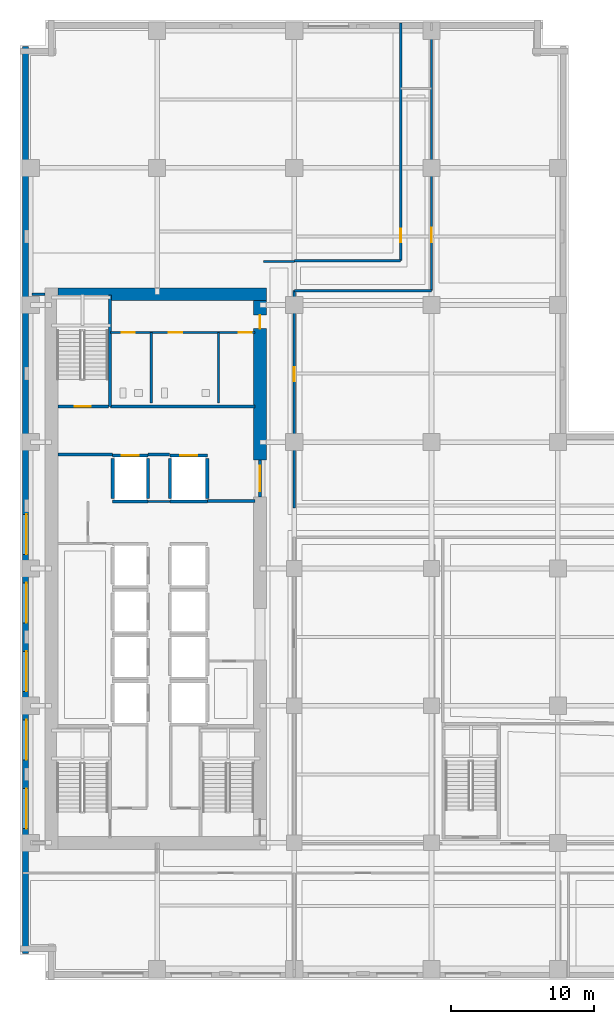
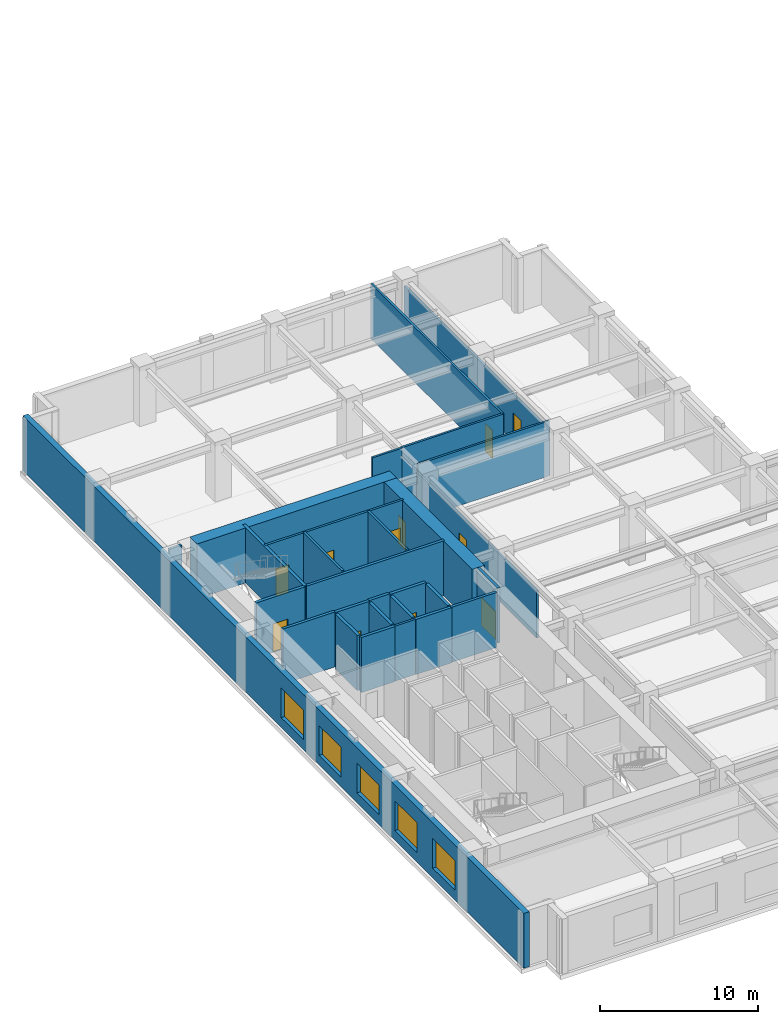
# One storey, part 7 of 24: 29 walls, 11 doors, 5 windows, 16 openings.
"""IFC4 building model written with IfcOpenShell, lengths in metres."""

import ifcopenshell
import ifcopenshell.guid

model = None  # the IFC model being written
_history = None  # IfcOwnerHistory: only IFC2X3 demands one
_inside = {}  # id of a spatial element -> (the spatial element, [elements in it])
_under = {}  # id of a project, library or spatial element -> (it, [spatial elements below it])
_declared = {}  # id of a project -> (the project, [libraries it declares])
_typed = {}  # id of a type object -> (the type object, [elements of that type])
_made_of = {}  # id of a material, layer set ... -> (it, [elements and type objects made of it])


def new_model(schema):
    """Start an empty IFC model of exactly this schema.

    Asked for "IFC4X3", IfcOpenShell would pick the latest addendum, in which some entities
    have other attributes; the version numbers below select the first issue.
    IFC2X3 requires an IfcOwnerHistory on every rooted entity: one is made here for all.
    """
    global model, _history
    if schema == "IFC4X3":
        model = ifcopenshell.file(schema_version=(4, 3, 0, 0))
    else:
        model = ifcopenshell.file(schema=schema)
    _inside.clear()
    _under.clear()
    _declared.clear()
    _typed.clear()
    _made_of.clear()
    _history = None
    if model.schema == "IFC2X3":
        org = make("IfcOrganization", Name="unknown")
        user = make(
            "IfcPersonAndOrganization",
            ThePerson=make("IfcPerson", FamilyName="unknown"),
            TheOrganization=org,
        )
        app = make(
            "IfcApplication",
            ApplicationDeveloper=org,
            Version="unknown",
            ApplicationFullName="unknown",
            ApplicationIdentifier="unknown",
        )
        _history = make(
            "IfcOwnerHistory",
            OwningUser=user,
            OwningApplication=app,
            ChangeAction="ADDED",
            CreationDate=0,
        )
    return model


def make(cls, **values):
    """One entity of the class cls with the attributes given. An attribute that is None is left unset."""
    return model.create_entity(
        cls, **{name: value for name, value in values.items() if value is not None}
    )


def rooted(cls, **values):
    """An entity with a GlobalId (a new one), such as an element, a storey or a relation."""
    return make(cls, GlobalId=ifcopenshell.guid.new(), OwnerHistory=_history, **values)


def si_unit(unit_type, name, prefix=None):
    """IfcSIUnit, for example si_unit("LENGTHUNIT", "METRE", prefix="MILLI")."""
    return make("IfcSIUnit", UnitType=unit_type, Prefix=prefix, Name=name)


def assignment(units):
    """IfcUnitAssignment: the units of a project."""
    return None if units is None else make("IfcUnitAssignment", Units=units)


def point(xyz):
    """IfcCartesianPoint."""
    return None if xyz is None else make("IfcCartesianPoint", Coordinates=xyz)


def direction(xyz):
    """IfcDirection."""
    return None if xyz is None else make("IfcDirection", DirectionRatios=xyz)


def frame(location, z_axis=None, x_axis=None):
    """IfcAxis2Placement3D, a coordinate frame: its origin and axes. An axis left out is left unset."""
    return make(
        "IfcAxis2Placement3D",
        Location=point(location),
        Axis=direction(z_axis),
        RefDirection=direction(x_axis),
    )


def frame_2d(location, x_axis=None):
    """IfcAxis2Placement2D, a coordinate frame in the plane: its origin and x axis."""
    return make(
        "IfcAxis2Placement2D", Location=point(location), RefDirection=direction(x_axis)
    )


def origin():
    """The frame at (0, 0, 0) with its axes left unset."""
    return frame((0.0, 0.0, 0.0))


def place(relative_to, where):
    """IfcLocalPlacement: puts the frame where relative to a parent placement (None: the world)."""
    return make(
        "IfcLocalPlacement", PlacementRelTo=relative_to, RelativePlacement=where
    )


def context(
    kind, dimensions, precision=None, world=None, true_north=None, identifier=None
):
    """IfcGeometricRepresentationContext, for example the 3D "Model" context."""
    return make(
        "IfcGeometricRepresentationContext",
        ContextIdentifier=identifier,
        ContextType=kind,
        CoordinateSpaceDimension=dimensions,
        Precision=precision,
        WorldCoordinateSystem=world,
        TrueNorth=true_north,
    )


def subcontext(parent, identifier, kind, view, scale=None):
    """IfcGeometricRepresentationSubContext, for example "Body" below "Model"."""
    return make(
        "IfcGeometricRepresentationSubContext",
        ContextIdentifier=identifier,
        ContextType=kind,
        ParentContext=parent,
        TargetScale=scale,
        TargetView=view,
    )


def project(units=None, contexts=None):
    """IfcProject with its units and contexts."""
    return rooted(
        "IfcProject",
        Name="project",
        RepresentationContexts=contexts,
        UnitsInContext=assignment(units),
    )


def spatial(cls, under=None, at=None, **own):
    """A site, building, storey or space (cls), placed at a placement, below another one or the project."""
    s = rooted(cls, ObjectPlacement=at, **own)
    if under is not None:
        _under.setdefault(under.id(), (under, []))[1].append(s)
    return s


def profile(cls, at=None, kind="AREA", **sizes):
    """A parametric profile (cls). Its sizes go by their IFC names, for example OverallWidth=200.0."""
    return make(cls, ProfileType=kind, Position=at, **sizes)


def rectangle(**sizes):
    """IfcRectangleProfileDef."""
    return profile("IfcRectangleProfileDef", **sizes)


def extrude(swept, where, along, depth):
    """IfcExtrudedAreaSolid: the profile swept, set in the frame where, extruded along a direction by depth."""
    return make(
        "IfcExtrudedAreaSolid",
        SweptArea=swept,
        Position=where,
        ExtrudedDirection=direction(along),
        Depth=depth,
    )


def shape(context_of_items, identifier, shape_type, items):
    """IfcShapeRepresentation: the items that make up one representation, for example the "Body"."""
    return make(
        "IfcShapeRepresentation",
        ContextOfItems=context_of_items,
        RepresentationIdentifier=identifier,
        RepresentationType=shape_type,
        Items=items,
    )


def material(Name=None, Category=None):
    """IfcMaterial."""
    return make("IfcMaterial", Name=Name, Category=Category)


def layer(
    of_material, thickness, ventilated=None, Name=None, Category=None, Priority=None
):
    """IfcMaterialLayer: one layer of a wall or slab, of a material (None: an air gap)."""
    return make(
        "IfcMaterialLayer",
        Material=of_material,
        LayerThickness=thickness,
        IsVentilated=ventilated,
        Name=Name,
        Category=Category,
        Priority=Priority,
    )


def layer_set(layers, Name=None):
    """IfcMaterialLayerSet."""
    return make("IfcMaterialLayerSet", MaterialLayers=layers, LayerSetName=Name)


def made_of(thing, what):
    """Note that an element or type object is made of a material, layer set ...; save() writes the relation."""
    if what is not None:
        _made_of.setdefault(what.id(), (what, []))[1].append(thing)
    return thing


def type_object(cls, material=None, **own):
    """A type object (cls), such as IfcWallType, which elements share."""
    return made_of(rooted(cls, **own), material)


def element(
    cls,
    number,
    at=None,
    inside=None,
    cuts=None,
    type_object=None,
    material=None,
    context=None,
    identifier="Body",
    shape_type=None,
    held_by="IfcProductDefinitionShape",
    body=None,
    shapes=None,
    **own,
):
    """One element of the class cls, such as IfcWall. Its Tag is "e" and its number.

    at: its placement. inside: the storey or other place that contains it. cuts: it is an
    opening in that element (IfcRelVoidsElement). A single representation is given by context,
    identifier, shape_type and body (its items); several are given by shapes. held_by: the class
    of the entity that holds the representations. save() writes the other relations.
    """
    e = rooted(cls, Tag="e%d" % number, ObjectPlacement=at, **own)
    if body is not None:
        shapes = [shape(context, identifier, shape_type, body)]
    if shapes is not None:
        e.Representation = make(held_by, Representations=shapes)
    if inside is not None:
        _inside.setdefault(inside.id(), (inside, []))[1].append(e)
    if cuts is not None:
        rooted(
            "IfcRelVoidsElement", RelatingBuildingElement=cuts, RelatedOpeningElement=e
        )
    if type_object is not None:
        _typed.setdefault(type_object.id(), (type_object, []))[1].append(e)
    return made_of(e, material)


def fill(opening, filler):
    """IfcRelFillsElement: the door or window that sits in an opening."""
    return rooted(
        "IfcRelFillsElement",
        RelatingOpeningElement=opening,
        RelatedBuildingElement=filler,
    )


def aggregate(whole, parts):
    """IfcRelAggregates: a whole, such as a stair, and the parts it consists of."""
    return rooted("IfcRelAggregates", RelatingObject=whole, RelatedObjects=parts)


def save(model, path):
    """Write the relations noted so far, then the file.

    IfcRelAggregates (storeys below a building ...), IfcRelContainedInSpatialStructure (elements
    in a storey), IfcRelDefinesByType, IfcRelAssociatesMaterial and IfcRelDeclares: one each for
    every whole, place, type object, material and project.
    """
    for whole, parts in _under.values():
        aggregate(whole, parts)
    for where, things in _inside.values():
        rooted(
            "IfcRelContainedInSpatialStructure",
            RelatedElements=things,
            RelatingStructure=where,
        )
    for kind, things in _typed.values():
        rooted("IfcRelDefinesByType", RelatedObjects=things, RelatingType=kind)
    for what, things in _made_of.values():
        rooted("IfcRelAssociatesMaterial", RelatedObjects=things, RelatingMaterial=what)
    for by, libraries in _declared.values():
        rooted("IfcRelDeclares", RelatingContext=by, RelatedDefinitions=libraries)
    model.write(path)


model = new_model("IFC4")

# Units and contexts
model_context = context("Model", 3, precision=1e-05, world=origin(), true_north=direction((0.0, 1.0)))
body_context = subcontext(model_context, "Body", "Model", "MODEL_VIEW")
ifc_project = project(units=[si_unit("LENGTHUNIT", "METRE"), si_unit("AREAUNIT", "SQUARE_METRE"), si_unit("VOLUMEUNIT", "CUBIC_METRE"), si_unit("PLANEANGLEUNIT", "RADIAN"), si_unit("MASSUNIT", "GRAM", prefix="KILO")], contexts=[model_context])

# Site, building, storey
site_placement = place(None, origin())
site = spatial("IfcSite", under=ifc_project, at=site_placement, CompositionType="ELEMENT")
building_placement = place(site_placement, origin())
building = spatial("IfcBuilding", under=site, at=building_placement, Name="Norrvale University Quadrangle", CompositionType="ELEMENT")
storey_placement = place(building_placement, frame((0.0, 0.0, 15.0)))
storey = spatial("IfcBuildingStorey", under=building, at=storey_placement, Name="L03", CompositionType="ELEMENT", Elevation=15.0)

# Wall
ifc_material_1 = material(Name="Concrete C80/95", Category="concrete")
ifc_layer_1 = layer(ifc_material_1, 0.89990234375, Name="Concrete C80/95")
ifc_layer_set_1 = layer_set([ifc_layer_1], Name="Concrete C80/95")
wall_type_1 = type_object("IfcWallType", Name="Wall Core 900", PredefinedType="SHEAR", material=ifc_layer_set_1)
wall_1_placement = place(storey_placement, frame((2.64990234375, 48.0, 0.0), z_axis=(0.0, 0.0, 1.0), x_axis=(1.0, 0.0, 0.0)))
element("IfcWall", 1, at=wall_1_placement, inside=storey, type_object=wall_type_1, Name="Tower Core Shear Wall L03-N", PredefinedType="SHEAR", context=body_context, shape_type="SweptSolid", body=[
    extrude(rectangle(XDim=14.60009765625, YDim=0.89990234375, at=frame_2d((7.300048828125, 0.0))), origin(), (0.0, 0.0, 1.0), 4.260009765625),
])

# Wall, opening, door
wall_2_placement = place(storey_placement, frame((16.800048828125, 36.39990234375, 0.0), z_axis=(0.0, 0.0, 1.0), x_axis=(0.0, 1.0, 0.0)))
wall_2 = element("IfcWall", 2, at=wall_2_placement, inside=storey, type_object=wall_type_1, Name="Tower Core Shear Wall L03-E3", PredefinedType="SHEAR", context=body_context, shape_type="SweptSolid", body=[
    extrude(rectangle(XDim=11.150146484375, YDim=0.89990234375, at=frame_2d((5.5751953125, 0.0))), origin(), (0.0, 0.0, 1.0), 4.260009765625),
])
opening_1_placement = place(wall_2_placement, frame((9.199951171875, 0.0, 0.0)))
opening_1 = element("IfcOpeningElement", 3, at=opening_1_placement, cuts=wall_2, Name="Opening D07", PredefinedType="OPENING", context=body_context, shape_type="SweptSolid", body=[
    extrude(rectangle(XDim=0.949951171875, YDim=2.14990234375, at=frame_2d((0.47509765625, 1.074951171875))), frame((0.0, 0.4619140625, 0.0), z_axis=(0.0, -1.0, 0.0), x_axis=(1.0, 0.0, 0.0)), (0.0, 0.0, 1.0), 0.923828125),
])
ifc_material_2 = material(Name="Solid-Core Maple Door", Category="wood")
door_type_1 = type_object("IfcDoorType", Name="Door Office 950x2150", OperationType="NOTDEFINED", PredefinedType="DOOR", material=ifc_material_2)
door_1_placement = place(opening_1_placement, origin())
door_1 = element("IfcDoor", 4, at=door_1_placement, inside=storey, type_object=door_type_1, Name="Door Office 950x2150 DR-L03-NECORR", OperationType="SINGLE_SWING_RIGHT", OverallHeight=2.14990234375, OverallWidth=0.949951171875, PredefinedType="DOOR", context=body_context, shape_type="SweptSolid", body=[
    extrude(rectangle(XDim=0.949951171875, YDim=2.14990234375, at=frame_2d((0.47509765625, 1.074951171875))), frame((0.0, 0.02490234375, 0.0), z_axis=(0.0, -1.0, 0.0), x_axis=(1.0, 0.0, 0.0)), (0.0, 0.0, 1.0), 0.050048828125),
])
fill(opening_1, door_1)

# Walls
ifc_material_3 = material(Name="Fire-Rated Gypsum Stud Partition")
ifc_layer_2 = layer(ifc_material_3, 0.14990234375, Name="Fire-Rated Gypsum Stud Partition")
ifc_layer_set_2 = layer_set([ifc_layer_2], Name="Fire-Rated Gypsum Stud Partition")
wall_type_2 = type_object("IfcWallType", Name="Wall Gypsum Corridor 150", PredefinedType="PARTITIONING", material=ifc_layer_set_2)
wall_3_placement = place(storey_placement, frame((8.965087890625, 33.489990234375, 0.0), z_axis=(0.0, 0.0, 1.0), x_axis=(1.0, 0.0, 0.0)))
element("IfcWall", 5, at=wall_3_placement, inside=storey, type_object=wall_type_2, Name="Interior Partition WL-L03-LL3", PredefinedType="PARTITIONING", context=body_context, shape_type="SweptSolid", body=[
    extrude(rectangle(XDim=1.52001953125, YDim=0.14990234375, at=frame_2d((0.760009765625, 0.0))), origin(), (0.0, 0.0, 1.0), 4.260009765625),
])
wall_4_placement = place(storey_placement, frame((17.050048828125, 50.300048828125, 0.0), z_axis=(0.0, 0.0, 1.0), x_axis=(1.0, 0.0, 0.0)))
element("IfcWall", 6, at=wall_4_placement, inside=storey, type_object=wall_type_2, Name="Interior Partition WL-L03-CN-END", PredefinedType="PARTITIONING", context=body_context, shape_type="SweptSolid", body=[
    extrude(rectangle(XDim=2.14990234375, YDim=0.14990234375, at=frame_2d((1.074951171875, 0.0))), origin(), (0.0, 0.0, 1.0), 4.260009765625),
])

# Wall, opening, door
wall_5_placement = place(storey_placement, frame((19.199951171875, 33.050048828125, 0.0), z_axis=(0.0, 0.0, 1.0), x_axis=(0.0, 1.0, 0.0)))
wall_5 = element("IfcWall", 7, at=wall_5_placement, inside=storey, type_object=wall_type_2, Name="Interior Partition WL-L03-MNECW", PredefinedType="PARTITIONING", context=body_context, shape_type="SweptSolid", body=[
    extrude(rectangle(XDim=15.199951171875, YDim=0.14990234375, at=frame_2d((7.60009765625, 0.0))), origin(), (0.0, 0.0, 1.0), 3.64404296875),
])
opening_2_placement = place(wall_5_placement, frame((8.85009765625, 0.0, 0.0)))
opening_2 = element("IfcOpeningElement", 8, at=opening_2_placement, cuts=wall_5, Name="Opening D04", PredefinedType="OPENING", context=body_context, shape_type="SweptSolid", body=[
    extrude(rectangle(XDim=1.0, YDim=2.199951171875, at=frame_2d((0.5, 1.10009765625))), frame((0.0, 0.0869140625, 0.0), z_axis=(0.0, -1.0, 0.0), x_axis=(1.0, 0.0, 0.0)), (0.0, 0.0, 1.0), 0.173828125),
])
ifc_material_4 = material(Name="Solid-Core Oak Fire Door", Category="wood")
door_type_2 = type_object("IfcDoorType", Name="Door Corridor 1000x2200", OperationType="NOTDEFINED", PredefinedType="DOOR", material=ifc_material_4)
door_2_placement = place(opening_2_placement, origin())
door_2 = element("IfcDoor", 9, at=door_2_placement, inside=storey, type_object=door_type_2, Name="Door Corridor 1000x2200 DR-L03-MNE01", OperationType="SINGLE_SWING_RIGHT", OverallHeight=2.199951171875, OverallWidth=1.0, PredefinedType="DOOR", context=body_context, shape_type="SweptSolid", body=[
    extrude(rectangle(XDim=1.0, YDim=2.199951171875, at=frame_2d((0.5, 1.10009765625))), frame((0.0, 0.02490234375, 0.0), z_axis=(0.0, -1.0, 0.0), x_axis=(1.0, 0.0, 0.0)), (0.0, 0.0, 1.0), 0.050048828125),
])
fill(opening_2, door_2)

# Walls
wall_6_placement = place(storey_placement, frame((19.199951171875, 48.25, 0.0), z_axis=(0.0, 0.0, 1.0), x_axis=(1.0, 0.0, 0.0)))
element("IfcWall", 10, at=wall_6_placement, inside=storey, type_object=wall_type_2, Name="Interior Partition WL-L03-JOGS", PredefinedType="PARTITIONING", context=body_context, shape_type="SweptSolid", body=[
    extrude(rectangle(XDim=9.60009765625, YDim=0.14990234375, at=frame_2d((4.800048828125, 0.0))), origin(), (0.0, 0.0, 1.0), 4.260009765625),
])
wall_7_placement = place(storey_placement, frame((19.199951171875, 50.35009765625, 0.0), z_axis=(0.0, 0.0, 1.0), x_axis=(1.0, 0.0, 0.0)))
element("IfcWall", 11, at=wall_7_placement, inside=storey, type_object=wall_type_2, Name="Interior Partition WL-L03-JOGN", PredefinedType="PARTITIONING", context=body_context, shape_type="SweptSolid", body=[
    extrude(rectangle(XDim=7.449951171875, YDim=0.14990234375, at=frame_2d((3.72509765625, 0.0))), origin(), (0.0, 0.0, 1.0), 4.260009765625),
])

# Wall, opening, door
wall_8_placement = place(storey_placement, frame((28.800048828125, 48.25, 0.0), z_axis=(0.0, 0.0, 1.0), x_axis=(0.0, 1.0, 0.0)))
wall_8 = element("IfcWall", 12, at=wall_8_placement, inside=storey, type_object=wall_type_2, Name="Interior Partition WL-L03-NECW", PredefinedType="PARTITIONING", context=body_context, shape_type="SweptSolid", body=[
    extrude(rectangle(XDim=18.199951171875, YDim=0.14990234375, at=frame_2d((9.10009765625, 0.0))), origin(), (0.0, 0.0, 1.0), 3.64404296875),
])
opening_3_placement = place(wall_8_placement, frame((3.39990234375, 0.0, 0.0)))
opening_3 = element("IfcOpeningElement", 13, at=opening_3_placement, cuts=wall_8, Name="Opening D04", PredefinedType="OPENING", context=body_context, shape_type="SweptSolid", body=[
    extrude(rectangle(XDim=1.0, YDim=2.199951171875, at=frame_2d((0.5, 1.10009765625))), frame((0.0, 0.0869140625, 0.0), z_axis=(0.0, -1.0, 0.0), x_axis=(1.0, 0.0, 0.0)), (0.0, 0.0, 1.0), 0.173828125),
])
door_3_placement = place(opening_3_placement, origin())
door_3 = element("IfcDoor", 14, at=door_3_placement, inside=storey, type_object=door_type_2, Name="Door Corridor 1000x2200 DR-L03-NE01", OperationType="SINGLE_SWING_RIGHT", OverallHeight=2.199951171875, OverallWidth=1.0, PredefinedType="DOOR", context=body_context, shape_type="SweptSolid", body=[
    extrude(rectangle(XDim=1.0, YDim=2.199951171875, at=frame_2d((0.5, 1.10009765625))), frame((0.0, 0.02490234375, 0.0), z_axis=(0.0, -1.0, 0.0), x_axis=(1.0, 0.0, 0.0)), (0.0, 0.0, 1.0), 0.050048828125),
])
fill(opening_3, door_3)

wall_9_placement = place(storey_placement, frame((26.64990234375, 50.35009765625, 0.0), z_axis=(0.0, 0.0, 1.0), x_axis=(0.0, 1.0, 0.0)))
wall_9 = element("IfcWall", 15, at=wall_9_placement, inside=storey, type_object=wall_type_2, Name="Interior Partition WL-L03-NWCW", PredefinedType="PARTITIONING", context=body_context, shape_type="SweptSolid", body=[
    extrude(rectangle(XDim=16.6298828125, YDim=0.14990234375, at=frame_2d((8.31494140625, 0.0))), origin(), (0.0, 0.0, 1.0), 4.260009765625),
])
opening_4_placement = place(wall_9_placement, frame((1.300048828125, 0.0, 0.0)))
opening_4 = element("IfcOpeningElement", 16, at=opening_4_placement, cuts=wall_9, Name="Opening D07", PredefinedType="OPENING", context=body_context, shape_type="SweptSolid", body=[
    extrude(rectangle(XDim=0.949951171875, YDim=2.14990234375, at=frame_2d((0.47509765625, 1.074951171875))), frame((0.0, 0.0869140625, 0.0), z_axis=(0.0, -1.0, 0.0), x_axis=(1.0, 0.0, 0.0)), (0.0, 0.0, 1.0), 0.173828125),
])
door_4_placement = place(opening_4_placement, origin())
door_4 = element("IfcDoor", 17, at=door_4_placement, inside=storey, type_object=door_type_1, Name="Door Office 950x2150 DR-L03-NW01", OperationType="SINGLE_SWING_RIGHT", OverallHeight=2.14990234375, OverallWidth=0.949951171875, PredefinedType="DOOR", context=body_context, shape_type="SweptSolid", body=[
    extrude(rectangle(XDim=0.949951171875, YDim=2.14990234375, at=frame_2d((0.47509765625, 1.074951171875))), frame((0.0, 0.02490234375, 0.0), z_axis=(0.0, -1.0, 0.0), x_axis=(1.0, 0.0, 0.0)), (0.0, 0.0, 1.0), 0.050048828125),
])
fill(opening_4, door_4)

# Wall, openings, doors
ifc_material_5 = material(Name="Sanitary Chase Gypsum Partition")
ifc_layer_3 = layer(ifc_material_5, 0.1650390625, Name="Sanitary Chase Gypsum Partition")
ifc_layer_set_3 = layer_set([ifc_layer_3], Name="Sanitary Chase Gypsum Partition")
wall_type_3 = type_object("IfcWallType", Name="Wall Gypsum Sanitary 165", PredefinedType="PLUMBINGWALL", material=ifc_layer_set_3)
wall_10_placement = place(storey_placement, frame((6.320068359375, 45.320068359375, 0.0), z_axis=(0.0, 0.0, 1.0), x_axis=(1.0, 0.0, 0.0)))
wall_10 = element("IfcWall", 18, at=wall_10_placement, inside=storey, type_object=wall_type_3, Name="Interior Partition WL-L03-WCN", PredefinedType="PLUMBINGWALL", context=body_context, shape_type="SweptSolid", body=[
    extrude(rectangle(XDim=10.1298828125, YDim=0.1650390625, at=frame_2d((5.06494140625, 0.0))), origin(), (0.0, 0.0, 1.0), 4.260009765625),
])
opening_5_placement = place(wall_10_placement, frame((0.800048828125, 0.0, 0.0)))
opening_5 = element("IfcOpeningElement", 19, at=opening_5_placement, cuts=wall_10, Name="Opening D08", PredefinedType="OPENING", context=body_context, shape_type="SweptSolid", body=[
    extrude(rectangle(XDim=0.919921875, YDim=2.14990234375, at=frame_2d((0.4599609375, 1.074951171875))), frame((0.0, 0.094482421875, 0.0), z_axis=(0.0, -1.0, 0.0), x_axis=(1.0, 0.0, 0.0)), (0.0, 0.0, 1.0), 0.18896484375),
])
opening_6_placement = place(wall_10_placement, frame((4.10009765625, 0.0, 0.0)))
opening_6 = element("IfcOpeningElement", 20, at=opening_6_placement, cuts=wall_10, Name="Opening D08", PredefinedType="OPENING", context=body_context, shape_type="SweptSolid", body=[
    extrude(rectangle(XDim=0.919921875, YDim=2.14990234375, at=frame_2d((0.4599609375, 1.074951171875))), frame((0.0, 0.094482421875, 0.0), z_axis=(0.0, -1.0, 0.0), x_axis=(1.0, 0.0, 0.0)), (0.0, 0.0, 1.0), 0.18896484375),
])
opening_7_placement = place(wall_10_placement, frame((8.97998046875, 0.0, 0.0)))
opening_7 = element("IfcOpeningElement", 21, at=opening_7_placement, cuts=wall_10, Name="Opening D08", PredefinedType="OPENING", context=body_context, shape_type="SweptSolid", body=[
    extrude(rectangle(XDim=0.919921875, YDim=2.14990234375, at=frame_2d((0.4599609375, 1.074951171875))), frame((0.0, 0.094482421875, 0.0), z_axis=(0.0, -1.0, 0.0), x_axis=(1.0, 0.0, 0.0)), (0.0, 0.0, 1.0), 0.18896484375),
])
ifc_material_6 = material(Name="Laminate Washroom Door", Category="wood")
door_type_3 = type_object("IfcDoorType", Name="Door Washroom 920x2150", OperationType="NOTDEFINED", PredefinedType="DOOR", material=ifc_material_6)
door_5_placement = place(opening_5_placement, origin())
door_5 = element("IfcDoor", 22, at=door_5_placement, inside=storey, type_object=door_type_3, Name="Door Washroom 920x2150 DR-L03-WC1", OperationType="SINGLE_SWING_LEFT", OverallHeight=2.14990234375, OverallWidth=0.919921875, PredefinedType="DOOR", context=body_context, shape_type="SweptSolid", body=[
    extrude(rectangle(XDim=0.919921875, YDim=2.14990234375, at=frame_2d((0.4599609375, 1.074951171875))), frame((0.0, 0.02490234375, 0.0), z_axis=(0.0, -1.0, 0.0), x_axis=(1.0, 0.0, 0.0)), (0.0, 0.0, 1.0), 0.050048828125),
])
fill(opening_5, door_5)
door_6_placement = place(opening_6_placement, origin())
door_6 = element("IfcDoor", 23, at=door_6_placement, inside=storey, type_object=door_type_3, Name="Door Washroom 920x2150 DR-L03-WC2", OperationType="SINGLE_SWING_RIGHT", OverallHeight=2.14990234375, OverallWidth=0.919921875, PredefinedType="DOOR", context=body_context, shape_type="SweptSolid", body=[
    extrude(rectangle(XDim=0.919921875, YDim=2.14990234375, at=frame_2d((0.4599609375, 1.074951171875))), frame((0.0, 0.02490234375, 0.0), z_axis=(0.0, -1.0, 0.0), x_axis=(1.0, 0.0, 0.0)), (0.0, 0.0, 1.0), 0.050048828125),
])
fill(opening_6, door_6)
door_7_placement = place(opening_7_placement, origin())
door_7 = element("IfcDoor", 24, at=door_7_placement, inside=storey, type_object=door_type_3, Name="Door Washroom 920x2150 DR-L03-WC3", OperationType="SINGLE_SWING_LEFT", OverallHeight=2.14990234375, OverallWidth=0.919921875, PredefinedType="DOOR", context=body_context, shape_type="SweptSolid", body=[
    extrude(rectangle(XDim=0.919921875, YDim=2.14990234375, at=frame_2d((0.4599609375, 1.074951171875))), frame((0.0, 0.02490234375, 0.0), z_axis=(0.0, -1.0, 0.0), x_axis=(1.0, 0.0, 0.0)), (0.0, 0.0, 1.0), 0.050048828125),
])
fill(opening_7, door_7)

# Walls
for number, where, z_axis, x_axis, name in (
    (25, (9.199951171875, 40.39990234375, 0.0), (0.0, 0.0, 1.0), (0.0, 1.0, 0.0), "Interior Partition WL-L03-WCM1"),
    (26, (13.89990234375, 40.39990234375, 0.0), (0.0, 0.0, 1.0), (0.0, 1.0, 0.0), "Interior Partition WL-L03-WCM2"),
):
    element("IfcWall", number, at=place(storey_placement, frame(where, z_axis=z_axis, x_axis=x_axis)), inside=storey, type_object=wall_type_3, Name=name, PredefinedType="PLUMBINGWALL", context=body_context, shape_type="SweptSolid", body=[
        extrude(rectangle(XDim=4.920166015625, YDim=0.1650390625, at=frame_2d((2.4599609375, 0.0))), origin(), (0.0, 0.0, 1.0), 4.260009765625),
    ])
ifc_material_7 = material(Name="Concrete Blockwork 20 MPa Rated Wall", Category="masonry")
ifc_layer_4 = layer(ifc_material_7, 0.199951171875, Name="Concrete Blockwork 20 MPa Rated Wall")
ifc_layer_set_4 = layer_set([ifc_layer_4], Name="Concrete Blockwork 20 MPa Rated Wall")
wall_type_4 = type_object("IfcWallType", Name="Wall Lobby 200", PredefinedType="SOLIDWALL", material=ifc_layer_set_4)
wall_11_placement = place(storey_placement, frame((2.64990234375, 36.780029296875, 0.0), z_axis=(0.0, 0.0, 1.0), x_axis=(1.0, 0.0, 0.0)))
element("IfcWall", 27, at=wall_11_placement, inside=storey, type_object=wall_type_4, Name="Interior Partition WL-L03-FF1", PredefinedType="SOLIDWALL", context=body_context, shape_type="SweptSolid", body=[
    extrude(rectangle(XDim=3.830078125, YDim=0.199951171875, at=frame_2d((1.9150390625, 0.0))), origin(), (0.0, 0.0, 1.0), 4.260009765625),
])
wall_12_placement = place(storey_placement, frame((8.969970703125, 36.780029296875, 0.0), z_axis=(0.0, 0.0, 1.0), x_axis=(1.0, 0.0, 0.0)))
element("IfcWall", 28, at=wall_12_placement, inside=storey, type_object=wall_type_4, Name="Interior Partition WL-L03-FF2", PredefinedType="SOLIDWALL", context=body_context, shape_type="SweptSolid", body=[
    extrude(rectangle(XDim=1.510009765625, YDim=0.199951171875, at=frame_2d((0.7548828125, 0.0))), origin(), (0.0, 0.0, 1.0), 4.260009765625),
])
wall_13_placement = place(storey_placement, frame((13.1201171875, 33.52001953125, 0.0), z_axis=(0.0, 0.0, 1.0), x_axis=(1.0, 0.0, 0.0)))
element("IfcWall", 29, at=wall_13_placement, inside=storey, type_object=wall_type_4, Name="Interior Partition WL-L03-FF3", PredefinedType="SOLIDWALL", context=body_context, shape_type="SweptSolid", body=[
    extrude(rectangle(XDim=3.329833984375, YDim=0.199951171875, at=frame_2d((1.6650390625, 0.0))), origin(), (0.0, 0.0, 1.0), 4.260009765625),
])
wall_14_placement = place(storey_placement, frame((6.320068359375, 40.139892578125, 0.0), z_axis=(0.0, 0.0, 1.0), x_axis=(1.0, 0.0, 0.0)))
element("IfcWall", 30, at=wall_14_placement, inside=storey, type_object=wall_type_4, Name="Interior Partition WL-L03-FF4", PredefinedType="SOLIDWALL", context=body_context, shape_type="SweptSolid", body=[
    extrude(rectangle(XDim=10.1298828125, YDim=0.199951171875, at=frame_2d((5.06494140625, 0.0))), origin(), (0.0, 0.0, 1.0), 4.260009765625),
])

# Wall, opening, door
wall_15_placement = place(storey_placement, frame((16.800048828125, 33.800048828125, 0.0), z_axis=(0.0, 0.0, 1.0), x_axis=(0.0, 1.0, 0.0)))
wall_15 = element("IfcWall", 31, at=wall_15_placement, inside=storey, type_object=wall_type_4, Name="Interior Partition WL-L03-FFP", PredefinedType="SOLIDWALL", context=body_context, shape_type="SweptSolid", body=[
    extrude(rectangle(XDim=2.599853515625, YDim=0.199951171875, at=frame_2d((1.2998046875, 0.0))), origin(), (0.0, 0.0, 1.0), 4.260009765625),
])
opening_8_placement = place(wall_15_placement, frame((0.39990234375, 0.0, 0.0)))
opening_8 = element("IfcOpeningElement", 32, at=opening_8_placement, cuts=wall_15, Name="Opening D03", PredefinedType="OPENING", context=body_context, shape_type="SweptSolid", body=[
    extrude(rectangle(XDim=1.800048828125, YDim=2.199951171875, at=frame_2d((0.89990234375, 1.10009765625))), frame((0.0, 0.112060546875, 0.0), z_axis=(0.0, -1.0, 0.0), x_axis=(1.0, 0.0, 0.0)), (0.0, 0.0, 1.0), 0.223876953125),
])
ifc_material_8 = material(Name="Hollow Steel 350W Fire Door", Category="steel")
door_type_4 = type_object("IfcDoorType", Name="Door Fire Lobby 1800x2200", OperationType="DOUBLE_DOOR_SINGLE_SWING", PredefinedType="DOOR", material=ifc_material_8)
door_8_placement = place(opening_8_placement, origin())
door_8 = element("IfcDoor", 33, at=door_8_placement, inside=storey, type_object=door_type_4, Name="Door Fire Lobby 1800x2200 DR-L03-FFP", OperationType="DOUBLE_DOOR_SINGLE_SWING", OverallHeight=2.199951171875, OverallWidth=1.800048828125, PredefinedType="DOOR", context=body_context, shape_type="SweptSolid", body=[
    extrude(rectangle(XDim=1.800048828125, YDim=2.199951171875, at=frame_2d((0.89990234375, 1.10009765625))), frame((0.0, 0.02490234375, 0.0), z_axis=(0.0, -1.0, 0.0), x_axis=(1.0, 0.0, 0.0)), (0.0, 0.0, 1.0), 0.050048828125),
])
fill(opening_8, door_8)

# Wall
wall_16_placement = place(storey_placement, frame((0.85009765625, 48.0, 0.0), z_axis=(0.0, 0.0, 1.0), x_axis=(1.0, 0.0, 0.0)))
element("IfcWall", 34, at=wall_16_placement, inside=storey, type_object=wall_type_4, Name="Interior Partition WL-L03-CWRET-N", PredefinedType="SOLIDWALL", context=body_context, shape_type="SweptSolid", body=[
    extrude(rectangle(XDim=0.89501953125, YDim=0.199951171875, at=frame_2d((0.447509765625, 0.0))), origin(), (0.0, 0.0, 1.0), 4.260009765625),
])

# Wall, openings, windows
ifc_material_9 = material(Name="Red Manganese Brick Masonry", Category="masonry")
ifc_layer_5 = layer(ifc_material_9, 0.39990234375, Name="Red Manganese Brick Masonry")
ifc_layer_set_5 = layer_set([ifc_layer_5], Name="Red Manganese Brick Masonry")
wall_type_5 = type_object("IfcWallType", Name="Wall Red Brick 400", PredefinedType="SOLIDWALL", material=ifc_layer_set_5)
wall_17_placement = place(storey_placement, frame((0.3798828125, 65.360107421875, 0.0), z_axis=(0.0, 0.0, 1.0), x_axis=(0.0, -1.0, 0.0)))
wall_17 = element("IfcWall", 35, at=wall_17_placement, inside=storey, type_object=wall_type_5, Name="Exterior Brick Facade Wall L03-14.1", PredefinedType="SOLIDWALL", context=body_context, shape_type="SweptSolid", body=[
    extrude(rectangle(XDim=63.52001953125, YDim=0.39990234375, at=frame_2d((31.760009765625, 0.0))), origin(), (0.0, 0.0, 1.0), 4.260009765625),
])
opening_9_placement = place(wall_17_placement, frame((32.760009765625, 0.0, 0.75)))
opening_9 = element("IfcOpeningElement", 36, at=opening_9_placement, cuts=wall_17, Name="Opening W05", PredefinedType="OPENING", context=body_context, shape_type="SweptSolid", body=[
    extrude(rectangle(XDim=2.800048828125, YDim=2.300048828125, at=frame_2d((1.39990234375, 1.14990234375))), frame((0.0, 0.2119140625, 0.0), z_axis=(0.0, -1.0, 0.0), x_axis=(1.0, 0.0, 0.0)), (0.0, 0.0, 1.0), 0.423828125),
])
opening_10_placement = place(wall_17_placement, frame((37.56005859375, 0.0, 0.75)))
opening_10 = element("IfcOpeningElement", 37, at=opening_10_placement, cuts=wall_17, Name="Opening W05", PredefinedType="OPENING", context=body_context, shape_type="SweptSolid", body=[
    extrude(rectangle(XDim=2.800048828125, YDim=2.300048828125, at=frame_2d((1.39990234375, 1.14990234375))), frame((0.0, 0.2119140625, 0.0), z_axis=(0.0, -1.0, 0.0), x_axis=(1.0, 0.0, 0.0)), (0.0, 0.0, 1.0), 0.423828125),
])
opening_11_placement = place(wall_17_placement, frame((42.360107421875, 0.0, 0.75)))
opening_11 = element("IfcOpeningElement", 38, at=opening_11_placement, cuts=wall_17, Name="Opening W05", PredefinedType="OPENING", context=body_context, shape_type="SweptSolid", body=[
    extrude(rectangle(XDim=2.800048828125, YDim=2.300048828125, at=frame_2d((1.39990234375, 1.14990234375))), frame((0.0, 0.2119140625, 0.0), z_axis=(0.0, -1.0, 0.0), x_axis=(1.0, 0.0, 0.0)), (0.0, 0.0, 1.0), 0.423828125),
])
opening_12_placement = place(wall_17_placement, frame((47.159912109375, 0.0, 0.75)))
opening_12 = element("IfcOpeningElement", 39, at=opening_12_placement, cuts=wall_17, Name="Opening W05", PredefinedType="OPENING", context=body_context, shape_type="SweptSolid", body=[
    extrude(rectangle(XDim=2.800048828125, YDim=2.300048828125, at=frame_2d((1.39990234375, 1.14990234375))), frame((0.0, 0.2119140625, 0.0), z_axis=(0.0, -1.0, 0.0), x_axis=(1.0, 0.0, 0.0)), (0.0, 0.0, 1.0), 0.423828125),
])
opening_13_placement = place(wall_17_placement, frame((51.9599609375, 0.0, 0.75)))
opening_13 = element("IfcOpeningElement", 40, at=opening_13_placement, cuts=wall_17, Name="Opening W05", PredefinedType="OPENING", context=body_context, shape_type="SweptSolid", body=[
    extrude(rectangle(XDim=2.800048828125, YDim=2.300048828125, at=frame_2d((1.39990234375, 1.14990234375))), frame((0.0, 0.2119140625, 0.0), z_axis=(0.0, -1.0, 0.0), x_axis=(1.0, 0.0, 0.0)), (0.0, 0.0, 1.0), 0.423828125),
])
ifc_material_10 = material(Name="Bird-Friendly Fritted Triple Glazing", Category="glass")
window_type = type_object("IfcWindowType", Name="Window Podium 2800x2800", PartitioningType="TRIPLE_PANEL_VERTICAL", PredefinedType="WINDOW", material=ifc_material_10)
window_1_placement = place(opening_9_placement, origin())
window_1 = element("IfcWindow", 41, at=window_1_placement, inside=storey, type_object=window_type, Name="Window Podium 2800x2800 WIN-L03-E14-1-01", OverallHeight=2.300048828125, OverallWidth=2.800048828125, PartitioningType="TRIPLE_PANEL_VERTICAL", PredefinedType="WINDOW", context=body_context, shape_type="SweptSolid", body=[
    extrude(rectangle(XDim=2.800048828125, YDim=2.300048828125, at=frame_2d((1.39990234375, 1.14990234375))), frame((0.0, 0.110107421875, 0.0), z_axis=(0.0, -1.0, 0.0), x_axis=(1.0, 0.0, 0.0)), (0.0, 0.0, 1.0), 0.06005859375),
])
fill(opening_9, window_1)
window_2_placement = place(opening_10_placement, origin())
window_2 = element("IfcWindow", 42, at=window_2_placement, inside=storey, type_object=window_type, Name="Window Podium 2800x2800 WIN-L03-E14-1-02", OverallHeight=2.300048828125, OverallWidth=2.800048828125, PartitioningType="TRIPLE_PANEL_VERTICAL", PredefinedType="WINDOW", context=body_context, shape_type="SweptSolid", body=[
    extrude(rectangle(XDim=2.800048828125, YDim=2.300048828125, at=frame_2d((1.39990234375, 1.14990234375))), frame((0.0, 0.110107421875, 0.0), z_axis=(0.0, -1.0, 0.0), x_axis=(1.0, 0.0, 0.0)), (0.0, 0.0, 1.0), 0.06005859375),
])
fill(opening_10, window_2)
window_3_placement = place(opening_11_placement, origin())
window_3 = element("IfcWindow", 43, at=window_3_placement, inside=storey, type_object=window_type, Name="Window Podium 2800x2800 WIN-L03-E14-1-03", OverallHeight=2.300048828125, OverallWidth=2.800048828125, PartitioningType="TRIPLE_PANEL_VERTICAL", PredefinedType="WINDOW", context=body_context, shape_type="SweptSolid", body=[
    extrude(rectangle(XDim=2.800048828125, YDim=2.300048828125, at=frame_2d((1.39990234375, 1.14990234375))), frame((0.0, 0.110107421875, 0.0), z_axis=(0.0, -1.0, 0.0), x_axis=(1.0, 0.0, 0.0)), (0.0, 0.0, 1.0), 0.06005859375),
])
fill(opening_11, window_3)
window_4_placement = place(opening_12_placement, origin())
window_4 = element("IfcWindow", 44, at=window_4_placement, inside=storey, type_object=window_type, Name="Window Podium 2800x2800 WIN-L03-E14-1-04", OverallHeight=2.300048828125, OverallWidth=2.800048828125, PartitioningType="TRIPLE_PANEL_VERTICAL", PredefinedType="WINDOW", context=body_context, shape_type="SweptSolid", body=[
    extrude(rectangle(XDim=2.800048828125, YDim=2.300048828125, at=frame_2d((1.39990234375, 1.14990234375))), frame((0.0, 0.110107421875, 0.0), z_axis=(0.0, -1.0, 0.0), x_axis=(1.0, 0.0, 0.0)), (0.0, 0.0, 1.0), 0.06005859375),
])
fill(opening_12, window_4)
window_5_placement = place(opening_13_placement, origin())
window_5 = element("IfcWindow", 45, at=window_5_placement, inside=storey, type_object=window_type, Name="Window Podium 2800x2800 WIN-L03-E14-1-05", OverallHeight=2.300048828125, OverallWidth=2.800048828125, PartitioningType="TRIPLE_PANEL_VERTICAL", PredefinedType="WINDOW", context=body_context, shape_type="SweptSolid", body=[
    extrude(rectangle(XDim=2.800048828125, YDim=2.300048828125, at=frame_2d((1.39990234375, 1.14990234375))), frame((0.0, 0.110107421875, 0.0), z_axis=(0.0, -1.0, 0.0), x_axis=(1.0, 0.0, 0.0)), (0.0, 0.0, 1.0), 0.06005859375),
])
fill(opening_13, window_5)

# Wall, opening, door
ifc_material_11 = material(Name="Concrete Blockwork 20 MPa Fire Shaft", Category="masonry")
ifc_layer_6 = layer(ifc_material_11, 0.219970703125, Name="Concrete Blockwork 20 MPa Fire Shaft")
ifc_layer_set_6 = layer_set([ifc_layer_6], Name="Concrete Blockwork 20 MPa Fire Shaft")
wall_type_6 = type_object("IfcWallType", Name="Wall Shaft 220", PredefinedType="SOLIDWALL", material=ifc_layer_set_6)
wall_18_placement = place(storey_placement, frame((2.64990234375, 40.139892578125, 0.0), z_axis=(0.0, 0.0, 1.0), x_axis=(1.0, 0.0, 0.0)))
wall_18 = element("IfcWall", 46, at=wall_18_placement, inside=storey, type_object=wall_type_6, Name="Stair ST-02 South Shaft Wall L03", PredefinedType="SOLIDWALL", context=body_context, shape_type="SweptSolid", body=[
    extrude(rectangle(XDim=3.550048828125, YDim=0.219970703125, at=frame_2d((1.77490234375, 0.0))), origin(), (0.0, 0.0, 1.0), 4.260009765625),
])
opening_14_placement = place(wall_18_placement, frame((1.199951171875, 0.0, 0.0)))
opening_14 = element("IfcOpeningElement", 47, at=opening_14_placement, cuts=wall_18, Name="Opening D02", PredefinedType="OPENING", context=body_context, shape_type="SweptSolid", body=[
    extrude(rectangle(XDim=1.10009765625, YDim=2.199951171875, at=frame_2d((0.550048828125, 1.10009765625))), frame((0.0, 0.1220703125, 0.0), z_axis=(0.0, -1.0, 0.0), x_axis=(1.0, 0.0, 0.0)), (0.0, 0.0, 1.0), 0.243896484375),
])
door_type_5 = type_object("IfcDoorType", Name="Door Stair Exit 1100x2200", OperationType="NOTDEFINED", PredefinedType="DOOR", material=ifc_material_8)
door_9_placement = place(opening_14_placement, origin())
door_9 = element("IfcDoor", 48, at=door_9_placement, inside=storey, type_object=door_type_5, Name="Door Stair Exit 1100x2200 DR-L03-ST02", OperationType="SINGLE_SWING_LEFT", OverallHeight=2.199951171875, OverallWidth=1.10009765625, PredefinedType="DOOR", context=body_context, shape_type="SweptSolid", body=[
    extrude(rectangle(XDim=1.10009765625, YDim=2.199951171875, at=frame_2d((0.550048828125, 1.10009765625))), frame((0.0, 0.02490234375, 0.0), z_axis=(0.0, -1.0, 0.0), x_axis=(1.0, 0.0, 0.0)), (0.0, 0.0, 1.0), 0.050048828125),
])
fill(opening_14, door_9)

# Walls
wall_19_placement = place(storey_placement, frame((6.31005859375, 40.139892578125, 0.0), z_axis=(0.0, 0.0, 1.0), x_axis=(0.0, 1.0, 0.0)))
element("IfcWall", 49, at=wall_19_placement, inside=storey, type_object=wall_type_6, Name="Stair ST-02 East Shaft Wall L03", PredefinedType="SOLIDWALL", context=body_context, shape_type="SweptSolid", body=[
    extrude(rectangle(XDim=7.81005859375, YDim=0.219970703125, at=frame_2d((3.905029296875, 0.0))), origin(), (0.0, 0.0, 1.0), 4.260009765625),
])
for number, where, z_axis, x_axis, name in (
    (50, (6.489990234375, 33.7099609375, 0.0), (0.0, 0.0, 1.0), (0.0, 1.0, 0.0), "Hoistway FFL-01 West Wall L03"),
    (51, (8.9599609375, 33.7099609375, 0.0), (0.0, 0.0, 1.0), (0.0, 1.0, 0.0), "Hoistway FFL-01 East Wall L03"),
):
    element("IfcWall", number, at=place(storey_placement, frame(where, z_axis=z_axis, x_axis=x_axis)), inside=storey, type_object=wall_type_6, Name=name, PredefinedType="SOLIDWALL", context=body_context, shape_type="SweptSolid", body=[
        extrude(rectangle(XDim=2.780029296875, YDim=0.219970703125, at=frame_2d((1.39013671875, 0.0))), origin(), (0.0, 0.0, 1.0), 4.260009765625),
    ])
wall_20_placement = place(storey_placement, frame((6.489990234375, 33.489990234375, 0.0), z_axis=(0.0, 0.0, 1.0), x_axis=(1.0, 0.0, 0.0)))
element("IfcWall", 52, at=wall_20_placement, inside=storey, type_object=wall_type_6, Name="Hoistway FFL-01 South Wall L03", PredefinedType="SOLIDWALL", context=body_context, shape_type="SweptSolid", body=[
    extrude(rectangle(XDim=2.469970703125, YDim=0.219970703125, at=frame_2d((1.23486328125, 0.0))), origin(), (0.0, 0.0, 1.0), 4.260009765625),
])

# Wall, opening, door
wall_21_placement = place(storey_placement, frame((6.489990234375, 36.7099609375, 0.0), z_axis=(0.0, 0.0, 1.0), x_axis=(1.0, 0.0, 0.0)))
wall_21 = element("IfcWall", 53, at=wall_21_placement, inside=storey, type_object=wall_type_6, Name="Hoistway FFL-01 North Wall L03", PredefinedType="SOLIDWALL", context=body_context, shape_type="SweptSolid", body=[
    extrude(rectangle(XDim=2.469970703125, YDim=0.219970703125, at=frame_2d((1.23486328125, 0.0))), origin(), (0.0, 0.0, 1.0), 4.260009765625),
])
opening_15_placement = place(wall_21_placement, frame((0.635009765625, 0.0, 0.0)))
opening_15 = element("IfcOpeningElement", 54, at=opening_15_placement, cuts=wall_21, Name="Opening LD2", PredefinedType="OPENING", context=body_context, shape_type="SweptSolid", body=[
    extrude(rectangle(XDim=1.199951171875, YDim=2.199951171875, at=frame_2d((0.60009765625, 1.10009765625))), frame((0.0, 0.1220703125, 0.0), z_axis=(0.0, -1.0, 0.0), x_axis=(1.0, 0.0, 0.0)), (0.0, 0.0, 1.0), 0.243896484375),
])
ifc_material_12 = material(Name="Stainless Steel 316L Firefighter Lift Door", Category="steel")
door_type_6 = type_object("IfcDoorType", Name="Door Fire Lift 1200x2200", OperationType="DOUBLE_DOOR_SLIDING", PredefinedType="DOOR", material=ifc_material_12)
door_10_placement = place(opening_15_placement, origin())
door_10 = element("IfcDoor", 55, at=door_10_placement, inside=storey, type_object=door_type_6, Name="Elevator Landing Door DR-L03-FFL-01", OperationType="DOUBLE_DOOR_SLIDING", OverallHeight=2.199951171875, OverallWidth=1.199951171875, PredefinedType="DOOR", context=body_context, shape_type="SweptSolid", body=[
    extrude(rectangle(XDim=1.199951171875, YDim=2.199951171875, at=frame_2d((0.60009765625, 1.10009765625))), frame((0.0, 0.02490234375, 0.0), z_axis=(0.0, -1.0, 0.0), x_axis=(1.0, 0.0, 0.0)), (0.0, 0.0, 1.0), 0.050048828125),
])
fill(opening_15, door_10)

# Walls
for number, where, z_axis, x_axis, name in (
    (56, (10.489990234375, 33.7099609375, 0.0), (0.0, 0.0, 1.0), (0.0, 1.0, 0.0), "Hoistway FFL-02 West Wall L03"),
    (57, (13.110107421875, 33.7099609375, 0.0), (0.0, 0.0, 1.0), (0.0, 1.0, 0.0), "Hoistway FFL-02 East Wall L03"),
):
    element("IfcWall", number, at=place(storey_placement, frame(where, z_axis=z_axis, x_axis=x_axis)), inside=storey, type_object=wall_type_6, Name=name, PredefinedType="SOLIDWALL", context=body_context, shape_type="SweptSolid", body=[
        extrude(rectangle(XDim=2.780029296875, YDim=0.219970703125, at=frame_2d((1.39013671875, 0.0))), origin(), (0.0, 0.0, 1.0), 4.260009765625),
    ])
wall_22_placement = place(storey_placement, frame((10.489990234375, 33.489990234375, 0.0), z_axis=(0.0, 0.0, 1.0), x_axis=(1.0, 0.0, 0.0)))
element("IfcWall", 58, at=wall_22_placement, inside=storey, type_object=wall_type_6, Name="Hoistway FFL-02 South Wall L03", PredefinedType="SOLIDWALL", context=body_context, shape_type="SweptSolid", body=[
    extrude(rectangle(XDim=2.6201171875, YDim=0.219970703125, at=frame_2d((1.31005859375, 0.0))), origin(), (0.0, 0.0, 1.0), 4.260009765625),
])

# Wall, opening, door
wall_23_placement = place(storey_placement, frame((10.489990234375, 36.7099609375, 0.0), z_axis=(0.0, 0.0, 1.0), x_axis=(1.0, 0.0, 0.0)))
wall_23 = element("IfcWall", 59, at=wall_23_placement, inside=storey, type_object=wall_type_6, Name="Hoistway FFL-02 North Wall L03", PredefinedType="SOLIDWALL", context=body_context, shape_type="SweptSolid", body=[
    extrude(rectangle(XDim=2.6201171875, YDim=0.219970703125, at=frame_2d((1.31005859375, 0.0))), origin(), (0.0, 0.0, 1.0), 4.260009765625),
])
opening_16_placement = place(wall_23_placement, frame((0.7099609375, 0.0, 0.0)))
opening_16 = element("IfcOpeningElement", 60, at=opening_16_placement, cuts=wall_23, Name="Opening LD2", PredefinedType="OPENING", context=body_context, shape_type="SweptSolid", body=[
    extrude(rectangle(XDim=1.199951171875, YDim=2.199951171875, at=frame_2d((0.60009765625, 1.10009765625))), frame((0.0, 0.1220703125, 0.0), z_axis=(0.0, -1.0, 0.0), x_axis=(1.0, 0.0, 0.0)), (0.0, 0.0, 1.0), 0.243896484375),
])
door_11_placement = place(opening_16_placement, origin())
door_11 = element("IfcDoor", 61, at=door_11_placement, inside=storey, type_object=door_type_6, Name="Elevator Landing Door DR-L03-FFL-02", OperationType="DOUBLE_DOOR_SLIDING", OverallHeight=2.199951171875, OverallWidth=1.199951171875, PredefinedType="DOOR", context=body_context, shape_type="SweptSolid", body=[
    extrude(rectangle(XDim=1.199951171875, YDim=2.199951171875, at=frame_2d((0.60009765625, 1.10009765625))), frame((0.0, 0.02490234375, 0.0), z_axis=(0.0, -1.0, 0.0), x_axis=(1.0, 0.0, 0.0)), (0.0, 0.0, 1.0), 0.050048828125),
])
fill(opening_16, door_11)

save(model, "model.ifc")
